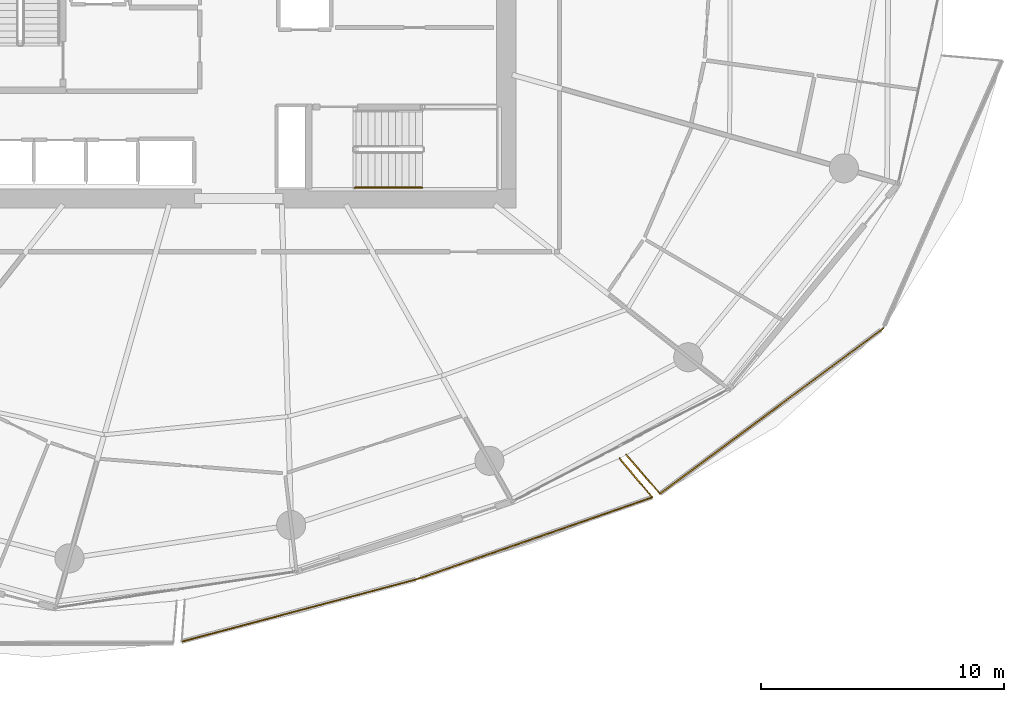
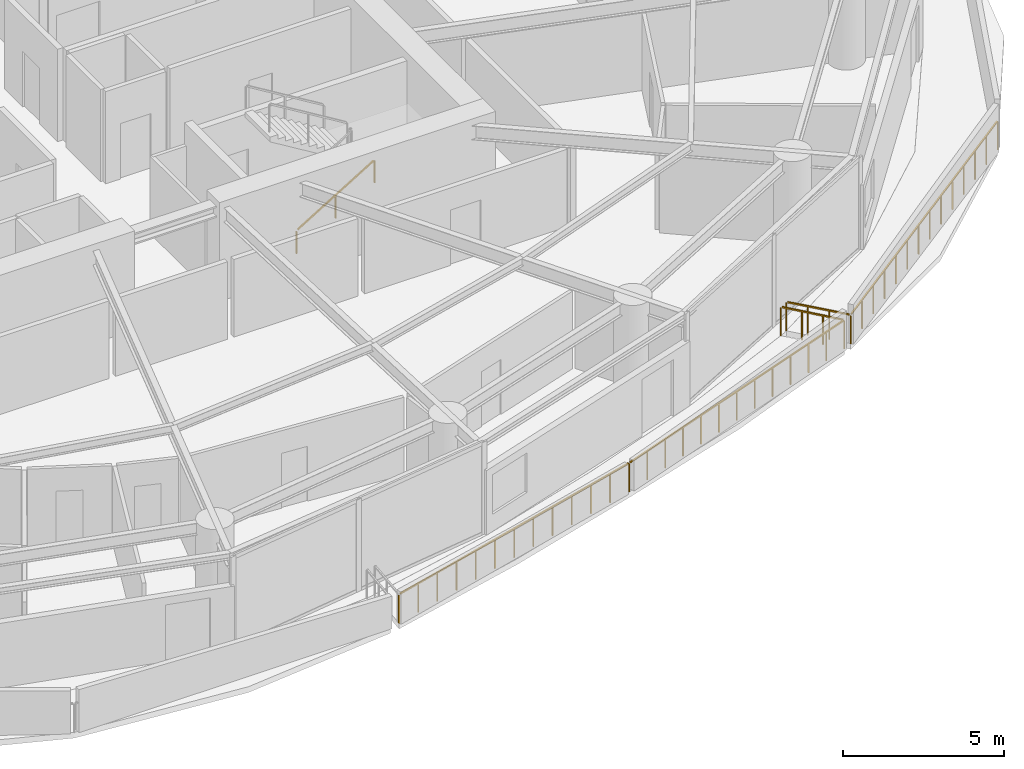
# One storey, part 18 of 22: 6 railings.
"""IFC4 building model written with IfcOpenShell, lengths in metres."""

from ifc_helpers import new_model, si_unit, direction, frame, origin, origin_2d, place, context, subcontext, project, spatial, rectangle, extrude, material, type_object, element, save


model = new_model("IFC4")

# Units and contexts
model_context = context("Model", 3, precision=1e-05, world=origin(), true_north=direction((0.0, 1.0)))
body_context = subcontext(model_context, "Body", "Model", "MODEL_VIEW")
ifc_project = project(units=[si_unit("LENGTHUNIT", "METRE"), si_unit("AREAUNIT", "SQUARE_METRE"), si_unit("VOLUMEUNIT", "CUBIC_METRE"), si_unit("PLANEANGLEUNIT", "RADIAN"), si_unit("MASSUNIT", "GRAM", prefix="KILO")], contexts=[model_context])

# Site, building, storey
site_placement = place(None, origin())
site = spatial("IfcSite", under=ifc_project, at=site_placement, CompositionType="ELEMENT")
building_placement = place(site_placement, origin())
building = spatial("IfcBuilding", under=site, at=building_placement, Name="Kazma Halo Residences", CompositionType="ELEMENT")
storey_placement = place(building_placement, frame((0.0, 0.0, 90.14990234375)))
storey = spatial("IfcBuildingStorey", under=building, at=storey_placement, Name="L22", CompositionType="ELEMENT", Elevation=90.14990234375)

# Railings
ifc_material_1 = material(Name="Aluminium AW-6063 T6 Brushed Cap Rail", Category="aluminium")
railing_type_1 = type_object("IfcRailingType", Name="RLG-BAL-CAP-1120", PredefinedType="BALUSTRADE", material=ifc_material_1)
railing_1_placement = place(storey_placement, frame((46.064697265625, 15.327880859375, 0.0)))
element("IfcRailing", 1, at=railing_1_placement, inside=storey, type_object=railing_type_1, Name="L22 SSE wave balcony guard 2", PredefinedType="BALUSTRADE", context=body_context, shape_type="SweptSolid", body=[
    extrude(rectangle(XDim=0.050048828125, YDim=0.050048828125, at=origin_2d()), frame((0.041015625, 0.010986328125, 1.09521484375), z_axis=(0.966558011146, 0.256448067042, 0.0), x_axis=(-0.256448067042, 0.966558011146, 0.0)), (0.0, 0.0, 1.0), 10.012939453125),
    extrude(rectangle(XDim=0.0400390625, YDim=0.0400390625, at=origin_2d()), origin(), (0.0, 0.0, 1.0), 1.05810546875),
    extrude(rectangle(XDim=0.0400390625, YDim=0.0400390625, at=origin_2d()), frame((0.8134765625, 0.2158203125, 0.0)), (0.0, 0.0, 1.0), 1.05810546875),
    extrude(rectangle(XDim=0.0400390625, YDim=0.0400390625, at=origin_2d()), frame((1.626708984375, 0.431640625, 0.0)), (0.0, 0.0, 1.0), 1.05810546875),
    extrude(rectangle(XDim=0.0400390625, YDim=0.0400390625, at=origin_2d()), frame((2.43994140625, 0.6474609375, 0.0)), (0.0, 0.0, 1.0), 1.05810546875),
    extrude(rectangle(XDim=0.0400390625, YDim=0.0400390625, at=origin_2d()), frame((3.25341796875, 0.86328125, 0.0)), (0.0, 0.0, 1.0), 1.05810546875),
    extrude(rectangle(XDim=0.0400390625, YDim=0.0400390625, at=origin_2d()), frame((4.06689453125, 1.0791015625, 0.0)), (0.0, 0.0, 1.0), 1.05810546875),
    extrude(rectangle(XDim=0.0400390625, YDim=0.0400390625, at=origin_2d()), frame((4.880126953125, 1.294921875, 0.0)), (0.0, 0.0, 1.0), 1.05810546875),
    extrude(rectangle(XDim=0.0400390625, YDim=0.0400390625, at=origin_2d()), frame((5.693359375, 1.510498046875, 0.0)), (0.0, 0.0, 1.0), 1.05810546875),
    extrude(rectangle(XDim=0.0400390625, YDim=0.0400390625, at=origin_2d()), frame((6.5068359375, 1.726318359375, 0.0)), (0.0, 0.0, 1.0), 1.05810546875),
    extrude(rectangle(XDim=0.0400390625, YDim=0.0400390625, at=origin_2d()), frame((7.3203125, 1.942138671875, 0.0)), (0.0, 0.0, 1.0), 1.05810546875),
    extrude(rectangle(XDim=0.0400390625, YDim=0.0400390625, at=origin_2d()), frame((8.133544921875, 2.157958984375, 0.0)), (0.0, 0.0, 1.0), 1.05810546875),
    extrude(rectangle(XDim=0.0400390625, YDim=0.0400390625, at=origin_2d()), frame((8.94677734375, 2.373779296875, 0.0)), (0.0, 0.0, 1.0), 1.05810546875),
    extrude(rectangle(XDim=0.0400390625, YDim=0.0400390625, at=origin_2d()), frame((9.76025390625, 2.589599609375, 0.0)), (0.0, 0.0, 1.0), 1.05810546875),
])
railing_2_placement = place(storey_placement, frame((55.824951171875, 17.91748046875, 0.0)))
element("IfcRailing", 2, at=railing_2_placement, inside=storey, type_object=railing_type_1, Name="L22 SSE wave balcony guard 3", PredefinedType="BALUSTRADE", context=body_context, shape_type="SweptSolid", body=[
    extrude(rectangle(XDim=0.050048828125, YDim=0.050048828125, at=origin_2d()), frame((0.040283203125, 0.013916015625, 1.09521484375), z_axis=(0.944333970346, 0.328988377378, 0.0), x_axis=(-0.328988377378, 0.944333970346, 0.0)), (0.0, 0.0, 1.0), 10.13720703125),
    extrude(rectangle(XDim=0.0400390625, YDim=0.0400390625, at=origin_2d()), origin(), (0.0, 0.0, 1.0), 1.05810546875),
    extrude(rectangle(XDim=0.0400390625, YDim=0.0400390625, at=origin_2d()), frame((0.804443359375, 0.2802734375, 0.0)), (0.0, 0.0, 1.0), 1.05810546875),
    extrude(rectangle(XDim=0.0400390625, YDim=0.0400390625, at=origin_2d()), frame((1.60888671875, 0.560546875, 0.0)), (0.0, 0.0, 1.0), 1.05810546875),
    extrude(rectangle(XDim=0.0400390625, YDim=0.0400390625, at=origin_2d()), frame((2.413330078125, 0.8408203125, 0.0)), (0.0, 0.0, 1.0), 1.05810546875),
    extrude(rectangle(XDim=0.0400390625, YDim=0.0400390625, at=origin_2d()), frame((3.2177734375, 1.12109375, 0.0)), (0.0, 0.0, 1.0), 1.05810546875),
    extrude(rectangle(XDim=0.0400390625, YDim=0.0400390625, at=origin_2d()), frame((4.022216796875, 1.4013671875, 0.0)), (0.0, 0.0, 1.0), 1.05810546875),
    extrude(rectangle(XDim=0.0400390625, YDim=0.0400390625, at=origin_2d()), frame((4.82666015625, 1.681640625, 0.0)), (0.0, 0.0, 1.0), 1.05810546875),
    extrude(rectangle(XDim=0.0400390625, YDim=0.0400390625, at=origin_2d()), frame((5.631103515625, 1.961669921875, 0.0)), (0.0, 0.0, 1.0), 1.05810546875),
    extrude(rectangle(XDim=0.0400390625, YDim=0.0400390625, at=origin_2d()), frame((6.435546875, 2.241943359375, 0.0)), (0.0, 0.0, 1.0), 1.05810546875),
    extrude(rectangle(XDim=0.0400390625, YDim=0.0400390625, at=origin_2d()), frame((7.239990234375, 2.522216796875, 0.0)), (0.0, 0.0, 1.0), 1.05810546875),
    extrude(rectangle(XDim=0.0400390625, YDim=0.0400390625, at=origin_2d()), frame((8.04443359375, 2.802490234375, 0.0)), (0.0, 0.0, 1.0), 1.05810546875),
    extrude(rectangle(XDim=0.0400390625, YDim=0.0400390625, at=origin_2d()), frame((8.848876953125, 3.082763671875, 0.0)), (0.0, 0.0, 1.0), 1.05810546875),
    extrude(rectangle(XDim=0.0400390625, YDim=0.0400390625, at=origin_2d()), frame((9.6533203125, 3.363037109375, 0.0)), (0.0, 0.0, 1.0), 1.05810546875),
])
railing_3_placement = place(storey_placement, frame((65.478271484375, 21.280517578125, 0.0)))
element("IfcRailing", 3, at=railing_3_placement, inside=storey, type_object=railing_type_1, Name="L22 SSE wave balcony guard 4", PredefinedType="BALUSTRADE", context=body_context, shape_type="SweptSolid", body=[
    extrude(rectangle(XDim=0.050048828125, YDim=0.050048828125, at=origin_2d()), frame((-0.02734375, 0.032470703125, 1.09521484375), z_axis=(-0.644745452051, 0.764397345665, 0.0), x_axis=(-0.764397345665, -0.644745452051, 0.0)), (0.0, 0.0, 1.0), 2.010498046875),
    extrude(rectangle(XDim=0.0400390625, YDim=0.0400390625, at=origin_2d()), origin(), (0.0, 0.0, 1.0), 1.05810546875),
    extrude(rectangle(XDim=0.0400390625, YDim=0.0400390625, at=origin_2d()), frame((-0.450439453125, 0.533935546875, 0.0)), (0.0, 0.0, 1.0), 1.05810546875),
    extrude(rectangle(XDim=0.0400390625, YDim=0.0400390625, at=origin_2d()), frame((-0.900634765625, 1.06787109375, 0.0)), (0.0, 0.0, 1.0), 1.05810546875),
    extrude(rectangle(XDim=0.0400390625, YDim=0.0400390625, at=origin_2d()), frame((-1.35107421875, 1.601806640625, 0.0)), (0.0, 0.0, 1.0), 1.05810546875),
])
railing_4_placement = place(storey_placement, frame((64.40576171875, 23.027099609375, 0.0)))
element("IfcRailing", 4, at=railing_4_placement, inside=storey, type_object=railing_type_1, Name="L22 SE wave balcony guard 1", PredefinedType="BALUSTRADE", context=body_context, shape_type="SweptSolid", body=[
    extrude(rectangle(XDim=0.050048828125, YDim=0.050048828125, at=origin_2d()), frame((0.02783203125, -0.0322265625, 1.09521484375), z_axis=(0.65410562063, -0.756403223856, 0.0), x_axis=(0.756403223856, 0.65410562063, 0.0)), (0.0, 0.0, 1.0), 2.0341796875),
    extrude(rectangle(XDim=0.0400390625, YDim=0.0400390625, at=origin_2d()), origin(), (0.0, 0.0, 1.0), 1.05810546875),
    extrude(rectangle(XDim=0.0400390625, YDim=0.0400390625, at=origin_2d()), frame((0.462158203125, -0.534423828125, 0.0)), (0.0, 0.0, 1.0), 1.05810546875),
    extrude(rectangle(XDim=0.0400390625, YDim=0.0400390625, at=origin_2d()), frame((0.924072265625, -1.068603515625, 0.0)), (0.0, 0.0, 1.0), 1.05810546875),
    extrude(rectangle(XDim=0.0400390625, YDim=0.0400390625, at=origin_2d()), frame((1.38623046875, -1.60302734375, 0.0)), (0.0, 0.0, 1.0), 1.05810546875),
])
railing_5_placement = place(storey_placement, frame((65.7919921875, 21.424072265625, 0.0)))
element("IfcRailing", 5, at=railing_5_placement, inside=storey, type_object=railing_type_1, Name="L22 SE wave balcony guard 2", PredefinedType="BALUSTRADE", context=body_context, shape_type="SweptSolid", body=[
    extrude(rectangle(XDim=0.050048828125, YDim=0.050048828125, at=origin_2d()), frame((0.0341796875, 0.025390625, 1.09521484375), z_axis=(0.803654189265, 0.595096583822, 0.0), x_axis=(-0.595096583822, 0.803654189265, 0.0)), (0.0, 0.0, 1.0), 11.372802734375),
    extrude(rectangle(XDim=0.0400390625, YDim=0.0400390625, at=origin_2d()), origin(), (0.0, 0.0, 1.0), 1.05810546875),
    extrude(rectangle(XDim=0.0400390625, YDim=0.0400390625, at=origin_2d()), frame((0.708251953125, 0.5244140625, 0.0)), (0.0, 0.0, 1.0), 1.05810546875),
    extrude(rectangle(XDim=0.0400390625, YDim=0.0400390625, at=origin_2d()), frame((1.416748046875, 1.049072265625, 0.0)), (0.0, 0.0, 1.0), 1.05810546875),
    extrude(rectangle(XDim=0.0400390625, YDim=0.0400390625, at=origin_2d()), frame((2.125, 1.573486328125, 0.0)), (0.0, 0.0, 1.0), 1.05810546875),
    extrude(rectangle(XDim=0.0400390625, YDim=0.0400390625, at=origin_2d()), frame((2.833251953125, 2.09814453125, 0.0)), (0.0, 0.0, 1.0), 1.05810546875),
    extrude(rectangle(XDim=0.0400390625, YDim=0.0400390625, at=origin_2d()), frame((3.541748046875, 2.62255859375, 0.0)), (0.0, 0.0, 1.0), 1.05810546875),
    extrude(rectangle(XDim=0.0400390625, YDim=0.0400390625, at=origin_2d()), frame((4.25, 3.14697265625, 0.0)), (0.0, 0.0, 1.0), 1.05810546875),
    extrude(rectangle(XDim=0.0400390625, YDim=0.0400390625, at=origin_2d()), frame((4.958251953125, 3.671630859375, 0.0)), (0.0, 0.0, 1.0), 1.05810546875),
    extrude(rectangle(XDim=0.0400390625, YDim=0.0400390625, at=origin_2d()), frame((5.66650390625, 4.196044921875, 0.0)), (0.0, 0.0, 1.0), 1.05810546875),
    extrude(rectangle(XDim=0.0400390625, YDim=0.0400390625, at=origin_2d()), frame((6.375, 4.720458984375, 0.0)), (0.0, 0.0, 1.0), 1.05810546875),
    extrude(rectangle(XDim=0.0400390625, YDim=0.0400390625, at=origin_2d()), frame((7.083251953125, 5.2451171875, 0.0)), (0.0, 0.0, 1.0), 1.05810546875),
    extrude(rectangle(XDim=0.0400390625, YDim=0.0400390625, at=origin_2d()), frame((7.79150390625, 5.76953125, 0.0)), (0.0, 0.0, 1.0), 1.05810546875),
    extrude(rectangle(XDim=0.0400390625, YDim=0.0400390625, at=origin_2d()), frame((8.5, 6.294189453125, 0.0)), (0.0, 0.0, 1.0), 1.05810546875),
    extrude(rectangle(XDim=0.0400390625, YDim=0.0400390625, at=origin_2d()), frame((9.208251953125, 6.818603515625, 0.0)), (0.0, 0.0, 1.0), 1.05810546875),
])
ifc_material_2 = material(Name="Brushed Stainless Steel", Category="steel")
railing_type_2 = type_object("IfcRailingType", Name="RLG-STAIR-HND-900", PredefinedType="HANDRAIL", material=ifc_material_2)
railing_6_placement = place(storey_placement, frame((53.199951171875, 34.050048828125, 0.170654296875)))
element("IfcRailing", 6, at=railing_6_placement, inside=storey, type_object=railing_type_2, Name="L22 ST-03 stair handrail 1", PredefinedType="HANDRAIL", context=body_context, shape_type="SweptSolid", body=[
    extrude(rectangle(XDim=0.050048828125, YDim=0.050048828125, at=origin_2d()), frame((0.036376953125, 0.0, 0.89697265625), z_axis=(0.854202870247, 0.0, 0.519939858505), x_axis=(0.0, 1.0, 0.0)), (0.0, 0.0, 1.0), 3.19287109375),
    extrude(rectangle(XDim=0.0400390625, YDim=0.0400390625, at=origin_2d()), origin(), (0.0, 0.0, 1.0), 0.837890625),
    extrude(rectangle(XDim=0.0400390625, YDim=0.0400390625, at=origin_2d()), frame((1.39990234375, 0.0, 0.85205078125)), (0.0, 0.0, 1.0), 0.837890625),
    extrude(rectangle(XDim=0.0400390625, YDim=0.0400390625, at=origin_2d()), frame((2.800048828125, 0.0, 1.704345703125)), (0.0, 0.0, 1.0), 0.837890625),
])

save(model, "model.ifc")
